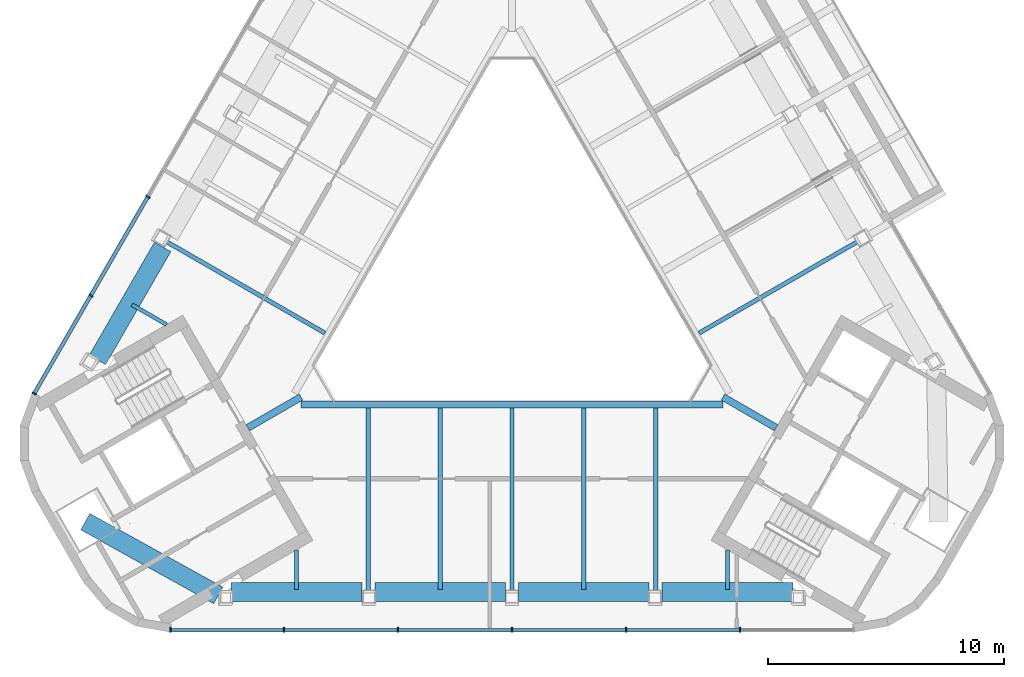
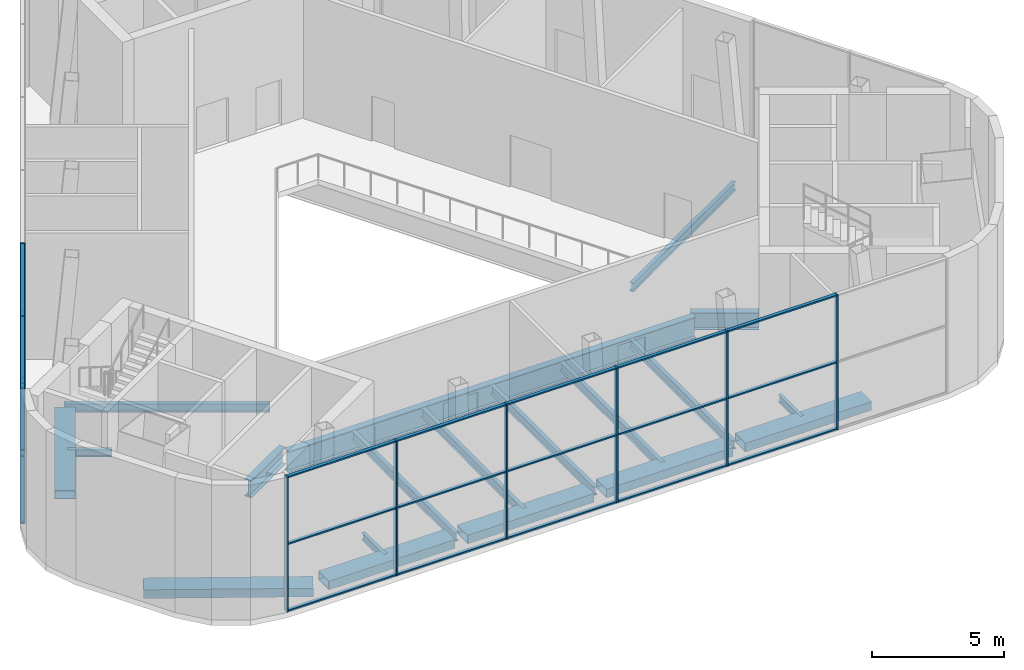
# One storey, part 2 of 12: 30 members, 19 beams, 2 elements without a shape of their own.
"""IFC4 building model written with IfcOpenShell, lengths in metres."""

from ifc_helpers import new_model, si_unit, direction, frame, origin, origin_2d, place, context, subcontext, project, spatial, rectangle, hollow_rectangle, i_section, extrude, material, layer, layer_set, material_profile, profile_set, type_object, element, aggregate, save


model = new_model("IFC4")

# Units and contexts
model_context = context("Model", 3, precision=1e-05, world=origin(), true_north=direction((0.0, 1.0)))
body_context = subcontext(model_context, "Body", "Model", "MODEL_VIEW")
ifc_project = project(units=[si_unit("LENGTHUNIT", "METRE"), si_unit("AREAUNIT", "SQUARE_METRE"), si_unit("VOLUMEUNIT", "CUBIC_METRE"), si_unit("PLANEANGLEUNIT", "RADIAN"), si_unit("MASSUNIT", "GRAM", prefix="KILO")], contexts=[model_context])

# Site, building, storey
site_placement = place(None, origin())
site = spatial("IfcSite", under=ifc_project, at=site_placement, CompositionType="ELEMENT")
building_placement = place(site_placement, origin())
building = spatial("IfcBuilding", under=site, at=building_placement, Name="Apuvela Tower Hotel", CompositionType="ELEMENT")
storey_placement = place(building_placement, frame((0.0, 0.0, 331.800048828125)))
storey = spatial("IfcBuildingStorey", under=building, at=storey_placement, Name="L83", CompositionType="ELEMENT", Elevation=331.800048828125)

# Curtain wall, members
ifc_material_1 = material(Name="Aluminium 6063-T6, dark bronze anodised", Category="aluminium")
ifc_layer = layer(ifc_material_1, 0.199951171875)
ifc_layer_set = layer_set([ifc_layer], Name="ENV-CW-L")
curtain_wall_type = type_object("IfcCurtainWallType", Name="ENV-CW-L", PredefinedType="NOTDEFINED", material=ifc_layer_set)
curtain_wall_1_placement = place(storey_placement, origin())
curtain_wall_1 = element("IfcCurtainWall", 1, at=curtain_wall_1_placement, inside=storey, type_object=curtain_wall_type, Name="Curtain wall CW-L S L83", PredefinedType="NOTDEFINED")
ifc_material_profile_1 = material_profile(ifc_material_1, rectangle(XDim=0.199951171875, YDim=0.06494140625, at=origin_2d()), Name="AL 65x200")
ifc_profile_set_1 = profile_set([ifc_material_profile_1], Name="Aluminium 6063-T6, dark bronze anodised")
member_type_1 = type_object("IfcMemberType", Name="ENV-MULLION-65x200", PredefinedType="MULLION", material=ifc_profile_set_1)
member_1_placement = place(storey_placement, frame((-14.434814453125, -14.993408203125, 0.0), z_axis=(0.0, 0.0, 1.0), x_axis=(0.0, 1.0, 0.0)))
member_1 = element("IfcMember", 2, at=member_1_placement, type_object=member_type_1, Name="CW-L mullion 1", PredefinedType="MULLION", context=body_context, shape_type="SweptSolid", body=[
    extrude(rectangle(XDim=0.199951171875, YDim=0.06494140625, at=origin_2d()), origin(), (0.0, 0.0, 1.0), 6.25),
])
member_2_placement = place(storey_placement, frame((-9.644775390625, -14.993408203125, 0.0), z_axis=(0.0, 0.0, 1.0), x_axis=(0.0, 1.0, 0.0)))
member_2 = element("IfcMember", 3, at=member_2_placement, type_object=member_type_1, Name="CW-L mullion 2", PredefinedType="MULLION", context=body_context, shape_type="SweptSolid", body=[
    extrude(rectangle(XDim=0.199951171875, YDim=0.06494140625, at=origin_2d()), origin(), (0.0, 0.0, 1.0), 6.25),
])
member_3_placement = place(storey_placement, frame((-4.822509765625, -14.993408203125, 0.0), z_axis=(0.0, 0.0, 1.0), x_axis=(0.0, 1.0, 0.0)))
member_3 = element("IfcMember", 4, at=member_3_placement, type_object=member_type_1, Name="CW-L mullion 3", PredefinedType="MULLION", context=body_context, shape_type="SweptSolid", body=[
    extrude(rectangle(XDim=0.199951171875, YDim=0.06494140625, at=origin_2d()), origin(), (0.0, 0.0, 1.0), 6.25),
])
member_4_placement = place(storey_placement, frame((0.0, -14.993408203125, 0.0), z_axis=(0.0, 0.0, 1.0), x_axis=(0.0, 1.0, 0.0)))
member_4 = element("IfcMember", 5, at=member_4_placement, type_object=member_type_1, Name="CW-L mullion 4", PredefinedType="MULLION", context=body_context, shape_type="SweptSolid", body=[
    extrude(rectangle(XDim=0.199951171875, YDim=0.06494140625, at=origin_2d()), origin(), (0.0, 0.0, 1.0), 6.25),
])
member_5_placement = place(storey_placement, frame((4.822509765625, -14.993408203125, 0.0), z_axis=(0.0, 0.0, 1.0), x_axis=(0.0, 1.0, 0.0)))
member_5 = element("IfcMember", 6, at=member_5_placement, type_object=member_type_1, Name="CW-L mullion 5", PredefinedType="MULLION", context=body_context, shape_type="SweptSolid", body=[
    extrude(rectangle(XDim=0.199951171875, YDim=0.06494140625, at=origin_2d()), origin(), (0.0, 0.0, 1.0), 6.25),
])
member_6_placement = place(storey_placement, frame((9.644775390625, -14.993408203125, 0.0), z_axis=(0.0, 0.0, 1.0), x_axis=(0.0, 1.0, 0.0)))
member_6 = element("IfcMember", 7, at=member_6_placement, type_object=member_type_1, Name="CW-L mullion 6", PredefinedType="MULLION", context=body_context, shape_type="SweptSolid", body=[
    extrude(rectangle(XDim=0.199951171875, YDim=0.06494140625, at=origin_2d()), origin(), (0.0, 0.0, 1.0), 6.25),
])

curtain_wall_2_placement = place(storey_placement, origin())
curtain_wall_2 = element("IfcCurtainWall", 8, at=curtain_wall_2_placement, inside=storey, type_object=curtain_wall_type, Name="Curtain wall CW-L NW L83", PredefinedType="NOTDEFINED")
member_7_placement = place(storey_placement, frame((-15.395751953125, 3.3203125, 0.0), z_axis=(0.0, 0.0, 1.0), x_axis=(0.866025415461, -0.499999979776, 0.0)))
member_7 = element("IfcMember", 9, at=member_7_placement, type_object=member_type_1, Name="CW-L mullion 5", PredefinedType="MULLION", context=body_context, shape_type="SweptSolid", body=[
    extrude(rectangle(XDim=0.199951171875, YDim=0.06494140625, at=origin_2d()), origin(), (0.0, 0.0, 1.0), 6.25),
])
member_8_placement = place(storey_placement, frame((-17.806884765625, -0.85595703125, 0.0), z_axis=(0.0, 0.0, 1.0), x_axis=(0.866025415461, -0.499999979776, 0.0)))
member_8 = element("IfcMember", 10, at=member_8_placement, type_object=member_type_1, Name="CW-L mullion 6", PredefinedType="MULLION", context=body_context, shape_type="SweptSolid", body=[
    extrude(rectangle(XDim=0.199951171875, YDim=0.06494140625, at=origin_2d()), origin(), (0.0, 0.0, 1.0), 6.25),
])
member_9_placement = place(storey_placement, frame((-20.201904296875, -5.004150390625, 0.0), z_axis=(0.0, 0.0, 1.0), x_axis=(0.866025415461, -0.499999979776, 0.0)))
member_9 = element("IfcMember", 11, at=member_9_placement, type_object=member_type_1, Name="CW-L mullion 7", PredefinedType="MULLION", context=body_context, shape_type="SweptSolid", body=[
    extrude(rectangle(XDim=0.199951171875, YDim=0.06494140625, at=origin_2d()), origin(), (0.0, 0.0, 1.0), 6.25),
])

# Member
ifc_material_profile_2 = material_profile(ifc_material_1, rectangle(XDim=0.14990234375, YDim=0.06494140625, at=origin_2d()), Name="AL 65x150 transom")
ifc_profile_set_2 = profile_set([ifc_material_profile_2], Name="Aluminium 6063-T6, dark bronze anodised")
member_type_2 = type_object("IfcMemberType", Name="ENV-TRANSOM-65x150", PredefinedType="USERDEFINED", material=ifc_profile_set_2)
member_10_placement = place(storey_placement, frame((-14.40234375, -14.993408203125, 0.032470703125), z_axis=(1.0, 0.0, 0.0), x_axis=(0.0, 1.0, 0.0)))
member_10 = element("IfcMember", 12, at=member_10_placement, type_object=member_type_2, Name="CW-L transom 1.1", ObjectType="TRANSOM", PredefinedType="USERDEFINED", context=body_context, shape_type="SweptSolid", body=[
    extrude(rectangle(XDim=0.14990234375, YDim=0.06494140625, at=origin_2d()), origin(), (0.0, 0.0, 1.0), 4.72509765625),
])

member_11_placement = place(storey_placement, frame((-14.40234375, -14.993408203125, 3.125), z_axis=(1.0, 0.0, 0.0), x_axis=(0.0, 1.0, 0.0)))
member_11 = element("IfcMember", 13, at=member_11_placement, type_object=member_type_2, Name="CW-L transom 1.2", ObjectType="TRANSOM", PredefinedType="USERDEFINED", context=body_context, shape_type="SweptSolid", body=[
    extrude(rectangle(XDim=0.14990234375, YDim=0.06494140625, at=origin_2d()), origin(), (0.0, 0.0, 1.0), 4.72509765625),
])

member_12_placement = place(storey_placement, frame((-14.40234375, -14.993408203125, 6.217529296875), z_axis=(1.0, 0.0, 0.0), x_axis=(0.0, 1.0, 0.0)))
member_12 = element("IfcMember", 14, at=member_12_placement, type_object=member_type_2, Name="CW-L transom 1.3", ObjectType="TRANSOM", PredefinedType="USERDEFINED", context=body_context, shape_type="SweptSolid", body=[
    extrude(rectangle(XDim=0.14990234375, YDim=0.06494140625, at=origin_2d()), origin(), (0.0, 0.0, 1.0), 4.72509765625),
])

member_13_placement = place(storey_placement, frame((-9.6123046875, -14.993408203125, 0.032470703125), z_axis=(1.0, 0.0, 0.0), x_axis=(0.0, 1.0, 0.0)))
member_13 = element("IfcMember", 15, at=member_13_placement, type_object=member_type_2, Name="CW-L transom 2.1", ObjectType="TRANSOM", PredefinedType="USERDEFINED", context=body_context, shape_type="SweptSolid", body=[
    extrude(rectangle(XDim=0.14990234375, YDim=0.06494140625, at=origin_2d()), origin(), (0.0, 0.0, 1.0), 4.75732421875),
])

member_14_placement = place(storey_placement, frame((-9.6123046875, -14.993408203125, 3.125), z_axis=(1.0, 0.0, 0.0), x_axis=(0.0, 1.0, 0.0)))
member_14 = element("IfcMember", 16, at=member_14_placement, type_object=member_type_2, Name="CW-L transom 2.2", ObjectType="TRANSOM", PredefinedType="USERDEFINED", context=body_context, shape_type="SweptSolid", body=[
    extrude(rectangle(XDim=0.14990234375, YDim=0.06494140625, at=origin_2d()), origin(), (0.0, 0.0, 1.0), 4.75732421875),
])

member_15_placement = place(storey_placement, frame((-9.6123046875, -14.993408203125, 6.217529296875), z_axis=(1.0, 0.0, 0.0), x_axis=(0.0, 1.0, 0.0)))
member_15 = element("IfcMember", 17, at=member_15_placement, type_object=member_type_2, Name="CW-L transom 2.3", ObjectType="TRANSOM", PredefinedType="USERDEFINED", context=body_context, shape_type="SweptSolid", body=[
    extrude(rectangle(XDim=0.14990234375, YDim=0.06494140625, at=origin_2d()), origin(), (0.0, 0.0, 1.0), 4.75732421875),
])

member_16_placement = place(storey_placement, frame((-4.7900390625, -14.993408203125, 0.032470703125), z_axis=(1.0, 0.0, 0.0), x_axis=(0.0, 1.0, 0.0)))
member_16 = element("IfcMember", 18, at=member_16_placement, type_object=member_type_2, Name="CW-L transom 3.1", ObjectType="TRANSOM", PredefinedType="USERDEFINED", context=body_context, shape_type="SweptSolid", body=[
    extrude(rectangle(XDim=0.14990234375, YDim=0.06494140625, at=origin_2d()), origin(), (0.0, 0.0, 1.0), 4.757568359375),
])

member_17_placement = place(storey_placement, frame((-4.7900390625, -14.993408203125, 3.125), z_axis=(1.0, 0.0, 0.0), x_axis=(0.0, 1.0, 0.0)))
member_17 = element("IfcMember", 19, at=member_17_placement, type_object=member_type_2, Name="CW-L transom 3.2", ObjectType="TRANSOM", PredefinedType="USERDEFINED", context=body_context, shape_type="SweptSolid", body=[
    extrude(rectangle(XDim=0.14990234375, YDim=0.06494140625, at=origin_2d()), origin(), (0.0, 0.0, 1.0), 4.757568359375),
])

member_18_placement = place(storey_placement, frame((-4.7900390625, -14.993408203125, 6.217529296875), z_axis=(1.0, 0.0, 0.0), x_axis=(0.0, 1.0, 0.0)))
member_18 = element("IfcMember", 20, at=member_18_placement, type_object=member_type_2, Name="CW-L transom 3.3", ObjectType="TRANSOM", PredefinedType="USERDEFINED", context=body_context, shape_type="SweptSolid", body=[
    extrude(rectangle(XDim=0.14990234375, YDim=0.06494140625, at=origin_2d()), origin(), (0.0, 0.0, 1.0), 4.757568359375),
])

member_19_placement = place(storey_placement, frame((0.032470703125, -14.993408203125, 0.032470703125), z_axis=(1.0, 0.0, 0.0), x_axis=(0.0, 1.0, 0.0)))
member_19 = element("IfcMember", 21, at=member_19_placement, type_object=member_type_2, Name="CW-L transom 4.1", ObjectType="TRANSOM", PredefinedType="USERDEFINED", context=body_context, shape_type="SweptSolid", body=[
    extrude(rectangle(XDim=0.14990234375, YDim=0.06494140625, at=origin_2d()), origin(), (0.0, 0.0, 1.0), 4.757568359375),
])

member_20_placement = place(storey_placement, frame((0.032470703125, -14.993408203125, 3.125), z_axis=(1.0, 0.0, 0.0), x_axis=(0.0, 1.0, 0.0)))
member_20 = element("IfcMember", 22, at=member_20_placement, type_object=member_type_2, Name="CW-L transom 4.2", ObjectType="TRANSOM", PredefinedType="USERDEFINED", context=body_context, shape_type="SweptSolid", body=[
    extrude(rectangle(XDim=0.14990234375, YDim=0.06494140625, at=origin_2d()), origin(), (0.0, 0.0, 1.0), 4.757568359375),
])

member_21_placement = place(storey_placement, frame((0.032470703125, -14.993408203125, 6.217529296875), z_axis=(1.0, 0.0, 0.0), x_axis=(0.0, 1.0, 0.0)))
member_21 = element("IfcMember", 23, at=member_21_placement, type_object=member_type_2, Name="CW-L transom 4.3", ObjectType="TRANSOM", PredefinedType="USERDEFINED", context=body_context, shape_type="SweptSolid", body=[
    extrude(rectangle(XDim=0.14990234375, YDim=0.06494140625, at=origin_2d()), origin(), (0.0, 0.0, 1.0), 4.757568359375),
])

member_22_placement = place(storey_placement, frame((4.85498046875, -14.993408203125, 0.032470703125), z_axis=(1.0, 0.0, 0.0), x_axis=(0.0, 1.0, 0.0)))
member_22 = element("IfcMember", 24, at=member_22_placement, type_object=member_type_2, Name="CW-L transom 5.1", ObjectType="TRANSOM", PredefinedType="USERDEFINED", context=body_context, shape_type="SweptSolid", body=[
    extrude(rectangle(XDim=0.14990234375, YDim=0.06494140625, at=origin_2d()), origin(), (0.0, 0.0, 1.0), 4.75732421875),
])

member_23_placement = place(storey_placement, frame((4.85498046875, -14.993408203125, 3.125), z_axis=(1.0, 0.0, 0.0), x_axis=(0.0, 1.0, 0.0)))
member_23 = element("IfcMember", 25, at=member_23_placement, type_object=member_type_2, Name="CW-L transom 5.2", ObjectType="TRANSOM", PredefinedType="USERDEFINED", context=body_context, shape_type="SweptSolid", body=[
    extrude(rectangle(XDim=0.14990234375, YDim=0.06494140625, at=origin_2d()), origin(), (0.0, 0.0, 1.0), 4.75732421875),
])

member_24_placement = place(storey_placement, frame((4.85498046875, -14.993408203125, 6.217529296875), z_axis=(1.0, 0.0, 0.0), x_axis=(0.0, 1.0, 0.0)))
member_24 = element("IfcMember", 26, at=member_24_placement, type_object=member_type_2, Name="CW-L transom 5.3", ObjectType="TRANSOM", PredefinedType="USERDEFINED", context=body_context, shape_type="SweptSolid", body=[
    extrude(rectangle(XDim=0.14990234375, YDim=0.06494140625, at=origin_2d()), origin(), (0.0, 0.0, 1.0), 4.75732421875),
])

aggregate(curtain_wall_1, [member_1, member_2, member_3, member_4, member_5, member_6, member_10, member_11, member_12, member_13, member_14, member_15, member_16, member_17, member_18, member_19, member_20, member_21, member_22, member_23, member_24])

member_25_placement = place(storey_placement, frame((-15.412109375, 3.292236328125, 0.032470703125), z_axis=(-0.499986023258, -0.86603347311, 0.0), x_axis=(0.86603347311, -0.499986023258, 0.0)))
member_25 = element("IfcMember", 27, at=member_25_placement, type_object=member_type_2, Name="CW-L transom 5.1", ObjectType="TRANSOM", PredefinedType="USERDEFINED", context=body_context, shape_type="SweptSolid", body=[
    extrude(rectangle(XDim=0.14990234375, YDim=0.06494140625, at=origin_2d()), origin(), (0.0, 0.0, 1.0), 4.757568359375),
])

member_26_placement = place(storey_placement, frame((-15.412109375, 3.292236328125, 3.125), z_axis=(-0.499986023258, -0.86603347311, 0.0), x_axis=(0.86603347311, -0.499986023258, 0.0)))
member_26 = element("IfcMember", 28, at=member_26_placement, type_object=member_type_2, Name="CW-L transom 5.2", ObjectType="TRANSOM", PredefinedType="USERDEFINED", context=body_context, shape_type="SweptSolid", body=[
    extrude(rectangle(XDim=0.14990234375, YDim=0.06494140625, at=origin_2d()), origin(), (0.0, 0.0, 1.0), 4.757568359375),
])

member_27_placement = place(storey_placement, frame((-15.412109375, 3.292236328125, 6.217529296875), z_axis=(-0.499986023258, -0.86603347311, 0.0), x_axis=(0.86603347311, -0.499986023258, 0.0)))
member_27 = element("IfcMember", 29, at=member_27_placement, type_object=member_type_2, Name="CW-L transom 5.3", ObjectType="TRANSOM", PredefinedType="USERDEFINED", context=body_context, shape_type="SweptSolid", body=[
    extrude(rectangle(XDim=0.14990234375, YDim=0.06494140625, at=origin_2d()), origin(), (0.0, 0.0, 1.0), 4.757568359375),
])

member_28_placement = place(storey_placement, frame((-17.8232421875, -0.88427734375, 0.032470703125), z_axis=(-0.500023619628, -0.866011766556, 0.0), x_axis=(0.866011766556, -0.500023619628, 0.0)))
member_28 = element("IfcMember", 30, at=member_28_placement, type_object=member_type_2, Name="CW-L transom 6.1", ObjectType="TRANSOM", PredefinedType="USERDEFINED", context=body_context, shape_type="SweptSolid", body=[
    extrude(rectangle(XDim=0.14990234375, YDim=0.06494140625, at=origin_2d()), origin(), (0.0, 0.0, 1.0), 4.724853515625),
])

member_29_placement = place(storey_placement, frame((-17.8232421875, -0.88427734375, 3.125), z_axis=(-0.500023619628, -0.866011766556, 0.0), x_axis=(0.866011766556, -0.500023619628, 0.0)))
member_29 = element("IfcMember", 31, at=member_29_placement, type_object=member_type_2, Name="CW-L transom 6.2", ObjectType="TRANSOM", PredefinedType="USERDEFINED", context=body_context, shape_type="SweptSolid", body=[
    extrude(rectangle(XDim=0.14990234375, YDim=0.06494140625, at=origin_2d()), origin(), (0.0, 0.0, 1.0), 4.724853515625),
])

member_30_placement = place(storey_placement, frame((-17.8232421875, -0.88427734375, 6.217529296875), z_axis=(-0.500023619628, -0.866011766556, 0.0), x_axis=(0.866011766556, -0.500023619628, 0.0)))
member_30 = element("IfcMember", 32, at=member_30_placement, type_object=member_type_2, Name="CW-L transom 6.3", ObjectType="TRANSOM", PredefinedType="USERDEFINED", context=body_context, shape_type="SweptSolid", body=[
    extrude(rectangle(XDim=0.14990234375, YDim=0.06494140625, at=origin_2d()), origin(), (0.0, 0.0, 1.0), 4.724853515625),
])

aggregate(curtain_wall_2, [member_7, member_8, member_9, member_25, member_26, member_27, member_28, member_29, member_30])

# Beams
ifc_material_2 = material(Name="Steel S355", Category="steel")
ifc_material_profile_3 = material_profile(ifc_material_2, i_section(OverallWidth=0.159912109375, OverallDepth=0.330078125, WebThickness=0.007568359375, FlangeThickness=0.011474609375, at=origin_2d()), Name="IPE 330")
ifc_profile_set_3 = profile_set([ifc_material_profile_3], Name="Steel S355")
beam_type_1 = type_object("IfcBeamType", Name="STR-B floor beam IPE 330", PredefinedType="BEAM", material=ifc_profile_set_3)
beam_1_placement = place(storey_placement, frame((-16.068115234375, -1.243896484375, -0.4150390625), z_axis=(0.866028486751, -0.499994660107, 0.0), x_axis=(0.499994660107, 0.866028486751, 0.0)))
element("IfcBeam", 33, at=beam_1_placement, inside=storey, type_object=beam_type_1, Name="Floor beam B1 NW8", PredefinedType="BEAM", context=body_context, shape_type="SweptSolid", body=[
    extrude(i_section(OverallWidth=0.159912109375, OverallDepth=0.330078125, WebThickness=0.007568359375, FlangeThickness=0.011474609375, at=origin_2d()), origin(), (0.0, 0.0, 1.0), 1.68212890625),
])
for number, where, z_axis, x_axis, name in (
    (34, (-9.111328125, -13.293212890625, -0.4150390625), (0.0, 1.0, 0.0), (-1.0, 0.0, 0.0), "Floor beam B1 S2"),
    (35, (9.111328125, -13.293212890625, -0.4150390625), (0.0, 1.0, 0.0), (-1.0, 0.0, 0.0), "Floor beam B1 S8"),
):
    element("IfcBeam", number, at=place(storey_placement, frame(where, z_axis=z_axis, x_axis=x_axis)), inside=storey, type_object=beam_type_1, Name=name, PredefinedType="BEAM", context=body_context, shape_type="SweptSolid", body=[
        extrude(i_section(OverallWidth=0.159912109375, OverallDepth=0.330078125, WebThickness=0.007568359375, FlangeThickness=0.011474609375, at=origin_2d()), origin(), (0.0, 0.0, 1.0), 1.681884765625),
    ])
ifc_material_profile_4 = material_profile(ifc_material_2, i_section(OverallWidth=0.179931640625, OverallDepth=0.39990234375, WebThickness=0.008544921875, FlangeThickness=0.013427734375, at=origin_2d()), Name="IPE 400")
ifc_profile_set_4 = profile_set([ifc_material_profile_4], Name="Steel S355")
beam_type_2 = type_object("IfcBeamType", Name="STR-B floor beam IPE 400", PredefinedType="BEAM", material=ifc_profile_set_4)
for number, where, z_axis, x_axis, name in (
    (36, (14.65771484375, 1.44873046875, -0.449951171875), (-0.866020837214, -0.500007909448, 0.0), (0.500007909448, -0.866020837214, 0.0), "Floor beam B2 NE3"),
    (37, (-14.65771484375, 1.44873046875, -0.449951171875), (0.866020837214, -0.500007909448, 0.0), (0.500007909448, 0.866020837214, 0.0), "Floor beam B2 NW7"),
    (38, (-6.07421875, -13.418212890625, -0.449951171875), (0.0, 1.0, 0.0), (-1.0, 0.0, 0.0), "Floor beam B2 S3"),
):
    element("IfcBeam", number, at=place(storey_placement, frame(where, z_axis=z_axis, x_axis=x_axis)), inside=storey, type_object=beam_type_2, Name=name, PredefinedType="BEAM", context=body_context, shape_type="SweptSolid", body=[
        extrude(i_section(OverallWidth=0.179931640625, OverallDepth=0.39990234375, WebThickness=0.008544921875, FlangeThickness=0.013427734375, at=origin_2d()), origin(), (0.0, 0.0, 1.0), 7.798095703125),
    ])
beam_2_placement = place(storey_placement, frame((-3.037109375, -13.293212890625, -0.449951171875), z_axis=(0.0, 1.0, 0.0), x_axis=(-1.0, 0.0, 0.0)))
element("IfcBeam", 39, at=beam_2_placement, inside=storey, type_object=beam_type_2, Name="Floor beam B2 S4", PredefinedType="BEAM", context=body_context, shape_type="SweptSolid", body=[
    extrude(i_section(OverallWidth=0.179931640625, OverallDepth=0.39990234375, WebThickness=0.008544921875, FlangeThickness=0.013427734375, at=origin_2d()), origin(), (0.0, 0.0, 1.0), 7.673095703125),
])
beam_3_placement = place(storey_placement, frame((0.0, -13.418212890625, -0.449951171875), z_axis=(0.0, 1.0, 0.0), x_axis=(-1.0, 0.0, 0.0)))
element("IfcBeam", 40, at=beam_3_placement, inside=storey, type_object=beam_type_2, Name="Floor beam B2 S5", PredefinedType="BEAM", context=body_context, shape_type="SweptSolid", body=[
    extrude(i_section(OverallWidth=0.179931640625, OverallDepth=0.39990234375, WebThickness=0.008544921875, FlangeThickness=0.013427734375, at=origin_2d()), origin(), (0.0, 0.0, 1.0), 7.798095703125),
])
beam_4_placement = place(storey_placement, frame((3.037109375, -13.293212890625, -0.449951171875), z_axis=(0.0, 1.0, 0.0), x_axis=(-1.0, 0.0, 0.0)))
element("IfcBeam", 41, at=beam_4_placement, inside=storey, type_object=beam_type_2, Name="Floor beam B2 S6", PredefinedType="BEAM", context=body_context, shape_type="SweptSolid", body=[
    extrude(i_section(OverallWidth=0.179931640625, OverallDepth=0.39990234375, WebThickness=0.008544921875, FlangeThickness=0.013427734375, at=origin_2d()), origin(), (0.0, 0.0, 1.0), 7.673095703125),
])
beam_5_placement = place(storey_placement, frame((6.07421875, -13.418212890625, -0.449951171875), z_axis=(0.0, 1.0, 0.0), x_axis=(-1.0, 0.0, 0.0)))
element("IfcBeam", 42, at=beam_5_placement, inside=storey, type_object=beam_type_2, Name="Floor beam B2 S7", PredefinedType="BEAM", context=body_context, shape_type="SweptSolid", body=[
    extrude(i_section(OverallWidth=0.179931640625, OverallDepth=0.39990234375, WebThickness=0.008544921875, FlangeThickness=0.013427734375, at=origin_2d()), origin(), (0.0, 0.0, 1.0), 7.798095703125),
])
ifc_material_profile_5 = material_profile(ifc_material_2, i_section(OverallWidth=0.300048828125, OverallDepth=0.989990234375, WebThickness=0.0166015625, FlangeThickness=0.031005859375, at=origin_2d()), Name="HE 1000 A")
ifc_profile_set_5 = profile_set([ifc_material_profile_5], Name="Steel S355")
beam_type_3 = type_object("IfcBeamType", Name="STR-G atrium ring girder HE 1000 A", PredefinedType="BEAM", material=ifc_profile_set_5)
beam_6_placement = place(storey_placement, frame((-8.91455078125, -5.469970703125, -0.7451171875), z_axis=(1.0, 0.0, 0.0), x_axis=(0.0, 1.0, 0.0)))
element("IfcBeam", 43, at=beam_6_placement, inside=storey, type_object=beam_type_3, Name="Atrium ring girder G3 SW-SE", PredefinedType="BEAM", context=body_context, shape_type="SweptSolid", body=[
    extrude(i_section(OverallWidth=0.300048828125, OverallDepth=0.989990234375, WebThickness=0.0166015625, FlangeThickness=0.031005859375, at=origin_2d()), origin(), (0.0, 0.0, 1.0), 17.8291015625),
])
ifc_material_profile_6 = material_profile(ifc_material_2, i_section(OverallWidth=0.300048828125, OverallDepth=0.800048828125, WebThickness=0.017578125, FlangeThickness=0.032958984375, at=origin_2d()), Name="HE 800 B")
ifc_profile_set_6 = profile_set([ifc_material_profile_6], Name="Steel S355")
beam_type_4 = type_object("IfcBeamType", Name="STR-GT core tie beam HE 800 B", PredefinedType="BEAM", material=ifc_profile_set_6)
for number, where, z_axis, x_axis, name in (
    (44, (-11.171630859375, -6.449951171875, -0.650146484375), (0.865997922154, 0.500047596559, 0.0), (-0.500047596559, 0.865997922154, 0.0), "Core tie beam GT1 SW"),
    (45, (11.171630859375, -6.449951171875, -0.650146484375), (-0.865997922154, 0.500047596559, 0.0), (-0.500047596559, -0.865997922154, 0.0), "Core tie beam GT1 SE"),
):
    element("IfcBeam", number, at=place(storey_placement, frame(where, z_axis=z_axis, x_axis=x_axis)), inside=storey, type_object=beam_type_4, Name=name, PredefinedType="BEAM", context=body_context, shape_type="SweptSolid", body=[
        extrude(i_section(OverallWidth=0.300048828125, OverallDepth=0.800048828125, WebThickness=0.017578125, FlangeThickness=0.032958984375, at=origin_2d()), origin(), (0.0, 0.0, 1.0), 2.599853515625),
    ])
ifc_material_3 = material(Name="Steel S460", Category="steel")
ifc_material_profile_7 = material_profile(ifc_material_3, hollow_rectangle(XDim=0.800048828125, YDim=0.39990234375, WallThickness=0.02490234375, at=origin_2d()), Name="BOX 800x400x25")
ifc_profile_set_7 = profile_set([ifc_material_profile_7], Name="Steel S460")
beam_type_5 = type_object("IfcBeamType", Name="STR-RB perimeter ring beam BOX 800x400x25", PredefinedType="SPANDREL", material=ifc_profile_set_7)
beam_7_placement = place(storey_placement, frame((-11.873291015625, -13.393310546875, -0.449951171875), z_axis=(1.0, 0.0, 0.0), x_axis=(0.0, 1.0, 0.0)))
element("IfcBeam", 46, at=beam_7_placement, inside=storey, type_object=beam_type_5, Name="Ring beam RB1 S1", PredefinedType="SPANDREL", context=body_context, shape_type="SweptSolid", body=[
    extrude(hollow_rectangle(XDim=0.800048828125, YDim=0.39990234375, WallThickness=0.02490234375, at=origin_2d()), origin(), (0.0, 0.0, 1.0), 5.524169921875),
])
for number, where, z_axis, x_axis, name in (
    (47, (-5.79931640625, -13.393310546875, -0.449951171875), (1.0, 0.0, 0.0), (0.0, 1.0, 0.0), "Ring beam RB1 S2"),
    (48, (0.27490234375, -13.393310546875, -0.449951171875), (1.0, 0.0, 0.0), (0.0, 1.0, 0.0), "Ring beam RB1 S3"),
):
    element("IfcBeam", number, at=place(storey_placement, frame(where, z_axis=z_axis, x_axis=x_axis)), inside=storey, type_object=beam_type_5, Name=name, PredefinedType="SPANDREL", context=body_context, shape_type="SweptSolid", body=[
        extrude(hollow_rectangle(XDim=0.800048828125, YDim=0.39990234375, WallThickness=0.02490234375, at=origin_2d()), origin(), (0.0, 0.0, 1.0), 5.5244140625),
    ])
beam_8_placement = place(storey_placement, frame((6.34912109375, -13.393310546875, -0.449951171875), z_axis=(1.0, 0.0, 0.0), x_axis=(0.0, 1.0, 0.0)))
element("IfcBeam", 49, at=beam_8_placement, inside=storey, type_object=beam_type_5, Name="Ring beam RB1 S4", PredefinedType="SPANDREL", context=body_context, shape_type="SweptSolid", body=[
    extrude(hollow_rectangle(XDim=0.800048828125, YDim=0.39990234375, WallThickness=0.02490234375, at=origin_2d()), origin(), (0.0, 0.0, 1.0), 5.524169921875),
])
beam_9_placement = place(storey_placement, frame((-14.7734375, 1.197998046875, -0.449951171875), z_axis=(-0.500008091576, -0.86602073206, 0.0), x_axis=(0.86602073206, -0.500008091576, 0.0)))
element("IfcBeam", 50, at=beam_9_placement, inside=storey, type_object=beam_type_5, Name="Ring beam RB1 NW4", PredefinedType="SPANDREL", context=body_context, shape_type="SweptSolid", body=[
    extrude(hollow_rectangle(XDim=0.800048828125, YDim=0.39990234375, WallThickness=0.02490234375, at=origin_2d()), origin(), (0.0, 0.0, 1.0), 5.5244140625),
])
beam_10_placement = place(storey_placement, frame((-12.42333984375, -13.540771484375, -0.449951171875), z_axis=(-0.874438209285, 0.485136906597, 0.0), x_axis=(-0.485136906597, -0.874438209285, 0.0)))
element("IfcBeam", 51, at=beam_10_placement, inside=storey, type_object=beam_type_5, Name="Ring beam RB1 S1-SW", PredefinedType="SPANDREL", context=body_context, shape_type="SweptSolid", body=[
    extrude(hollow_rectangle(XDim=0.800048828125, YDim=0.39990234375, WallThickness=0.02490234375, at=origin_2d()), origin(), (0.0, 0.0, 1.0), 6.432373046875),
])

save(model, "model.ifc")
